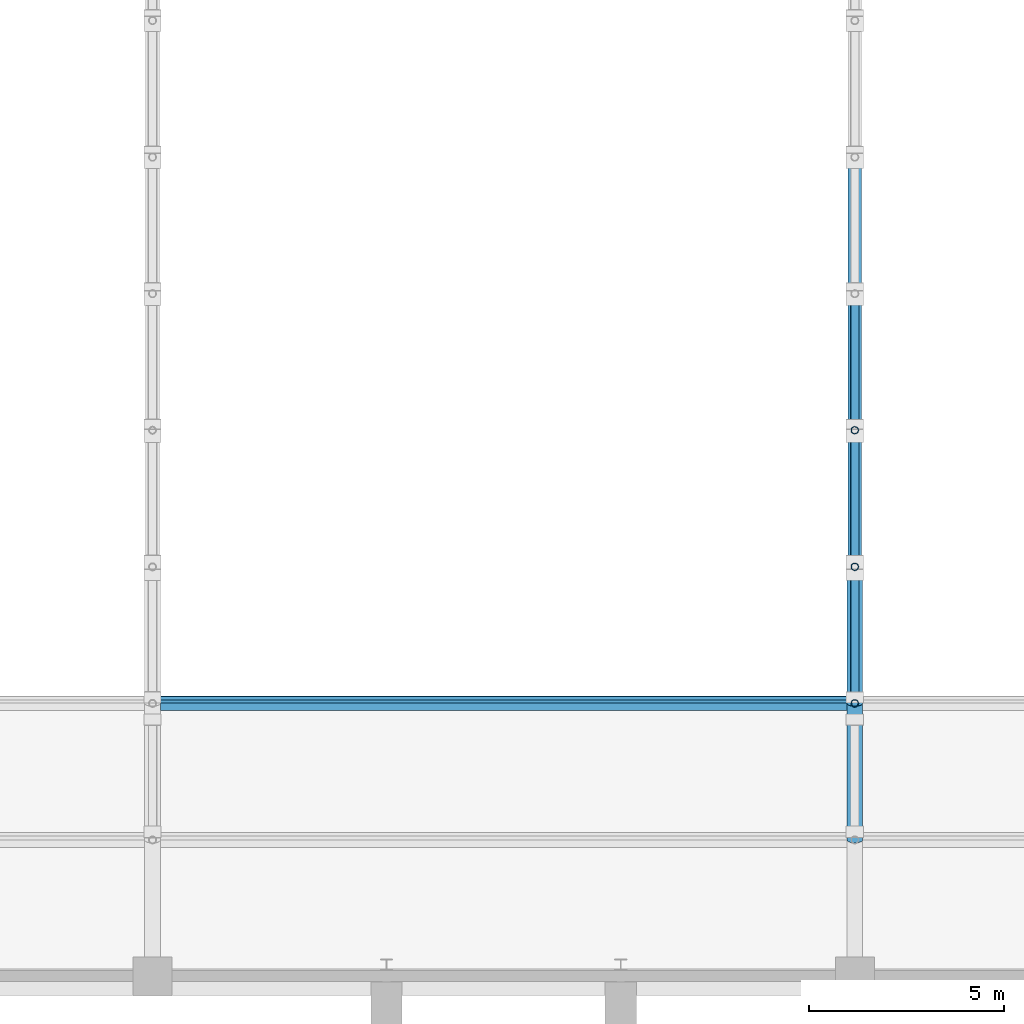
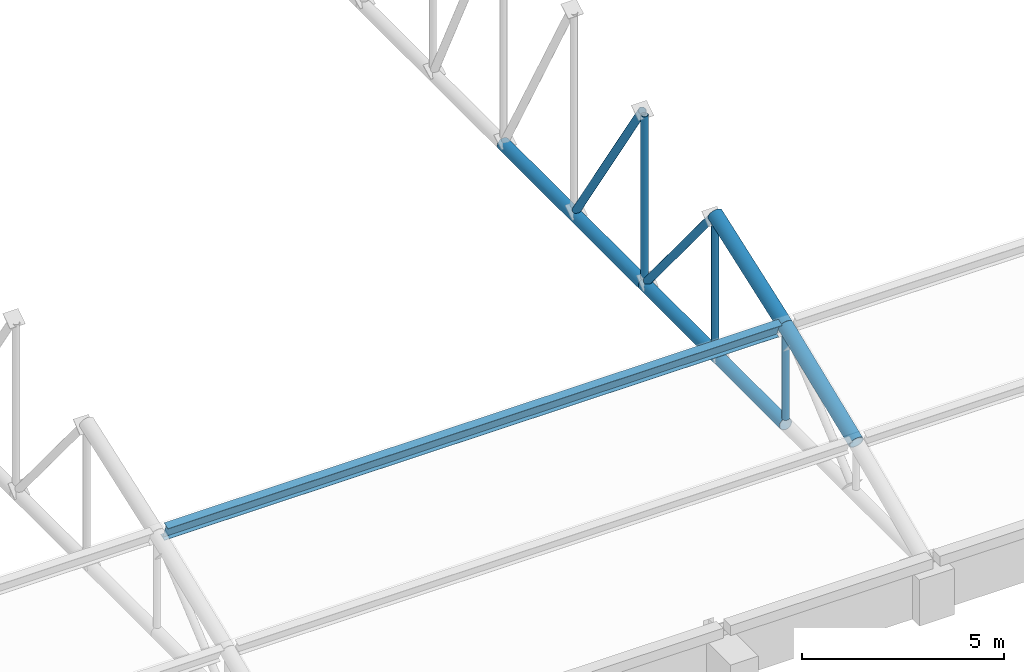
# One storey, part 35 of 196: 11 members.
"""IFC4 building model written with IfcOpenShell, lengths in metres."""

from ifc_helpers import new_model, si_unit, direction, frame, origin, origin_2d, place, context, subcontext, project, spatial, hollow_circle, i_section, extrude, material, material_profile, profile_set, type_object, element, save


model = new_model("IFC4")

# Units and contexts
model_context = context("Model", 3, precision=1e-05, world=origin(), true_north=direction((0.0, 1.0)))
body_context = subcontext(model_context, "Body", "Model", "MODEL_VIEW")
ifc_project = project(units=[si_unit("LENGTHUNIT", "METRE"), si_unit("AREAUNIT", "SQUARE_METRE"), si_unit("VOLUMEUNIT", "CUBIC_METRE"), si_unit("PLANEANGLEUNIT", "RADIAN"), si_unit("MASSUNIT", "GRAM", prefix="KILO")], contexts=[model_context])

# Site, building, storey
site_placement = place(None, origin())
site = spatial("IfcSite", under=ifc_project, at=site_placement, CompositionType="ELEMENT")
building_placement = place(site_placement, origin())
building = spatial("IfcBuilding", under=site, at=building_placement, Name="Okhra Congress Centre", CompositionType="ELEMENT")
storey_placement = place(building_placement, frame((0.0, 0.0, 12.0)))
storey = spatial("IfcBuildingStorey", under=building, at=storey_placement, Name="L02", CompositionType="ELEMENT", Elevation=12.0)

# Members
ifc_material_1 = material(Name="Steel S355J2H", Category="steel")
ifc_material_profile_1 = material_profile(ifc_material_1, hollow_circle(Radius=0.096923828125, WallThickness=0.012451171875, at=origin_2d()), Name="CHS 193.7x12.5")
ifc_profile_set_1 = profile_set([ifc_material_profile_1], Name="Steel S355J2H")
member_type_1 = type_object("IfcMemberType", Name="CHS 193.7x12.5", PredefinedType="POST", material=ifc_profile_set_1)
member_1_placement = place(storey_placement, frame((82.0, 139.0, 1.577880859375), z_axis=(0.0, 0.0, 1.0), x_axis=(1.0, 0.0, 0.0)))
element("IfcMember", 1, at=member_1_placement, inside=storey, type_object=member_type_1, Name="EH.MEM.L02.T4-VER-02", PredefinedType="POST", context=body_context, shape_type="SweptSolid", body=[
    extrude(hollow_circle(Radius=0.096923828125, WallThickness=0.012451171875, at=origin_2d()), origin(), (0.0, 0.0, 1.0), 2.578857421875),
])
member_2_placement = place(storey_placement, frame((82.0, 142.5, 1.577880859375), z_axis=(0.0, 0.0, 1.0), x_axis=(1.0, 0.0, 0.0)))
element("IfcMember", 2, at=member_2_placement, inside=storey, type_object=member_type_1, Name="EH.MEM.L02.T4-VER-03", PredefinedType="POST", context=body_context, shape_type="SweptSolid", body=[
    extrude(hollow_circle(Radius=0.096923828125, WallThickness=0.012451171875, at=origin_2d()), origin(), (0.0, 0.0, 1.0), 3.836669921875),
])
member_3_placement = place(storey_placement, frame((82.0, 146.0, 1.577880859375), z_axis=(0.0, 0.0, 1.0), x_axis=(1.0, 0.0, 0.0)))
element("IfcMember", 3, at=member_3_placement, inside=storey, type_object=member_type_1, Name="EH.MEM.L02.T4-VER-04", PredefinedType="POST", context=body_context, shape_type="SweptSolid", body=[
    extrude(hollow_circle(Radius=0.096923828125, WallThickness=0.012451171875, at=origin_2d()), origin(), (0.0, 0.0, 1.0), 4.947998046875),
])
ifc_material_profile_2 = material_profile(ifc_material_1, hollow_circle(Radius=0.109619140625, WallThickness=0.012451171875, at=origin_2d()), Name="CHS 219.1x12.5")
ifc_profile_set_2 = profile_set([ifc_material_profile_2], Name="Steel S355J2H")
member_type_2 = type_object("IfcMemberType", Name="CHS 219.1x12.5", PredefinedType="BRACE", material=ifc_profile_set_2)
member_4_placement = place(storey_placement, frame((82.0, 139.1611328125, 4.237060546875), z_axis=(0.0, 0.762061047132, -0.64750518179), x_axis=(-1.0, 0.0, 0.0)))
element("IfcMember", 4, at=member_4_placement, inside=storey, type_object=member_type_2, Name="EH.MEM.L02.T4-DIA-02", PredefinedType="BRACE", context=body_context, shape_type="SweptSolid", body=[
    extrude(hollow_circle(Radius=0.109619140625, WallThickness=0.012451171875, at=origin_2d()), origin(), (0.0, 0.0, 1.0), 4.106689453125),
])
member_5_placement = place(storey_placement, frame((82.0, 142.626220703125, 5.476318359375), z_axis=(0.0, 0.637599309049, -0.770368172435), x_axis=(-1.0, 0.0, 0.0)))
element("IfcMember", 5, at=member_5_placement, inside=storey, type_object=member_type_2, Name="EH.MEM.L02.T4-DIA-03", PredefinedType="BRACE", context=body_context, shape_type="SweptSolid", body=[
    extrude(hollow_circle(Radius=0.109619140625, WallThickness=0.012451171875, at=origin_2d()), origin(), (0.0, 0.0, 1.0), 5.060546875),
])
member_6_placement = place(storey_placement, frame((82.0, 146.10595703125, 6.576416015625), z_axis=(0.0, 0.548312008951, -0.836273843211), x_axis=(-1.0, 0.0, 0.0)))
element("IfcMember", 6, at=member_6_placement, inside=storey, type_object=member_type_2, Name="EH.MEM.L02.T4-DIA-04", PredefinedType="BRACE", context=body_context, shape_type="SweptSolid", body=[
    extrude(hollow_circle(Radius=0.109619140625, WallThickness=0.012451171875, at=origin_2d()), origin(), (0.0, 0.0, 1.0), 5.97705078125),
])
ifc_material_profile_3 = material_profile(ifc_material_1, hollow_circle(Radius=0.177734375, WallThickness=0.01611328125, at=origin_2d()), Name="CHS 355.6x16.0")
ifc_profile_set_3 = profile_set([ifc_material_profile_3], Name="Steel S355J2H")
member_type_3 = type_object("IfcMemberType", Name="CHS 355.6x16.0", PredefinedType="CHORD", material=ifc_profile_set_3)
for number, where, z_axis, x_axis, name in (
    (7, (82.0, 139.0, 1.39990234375), (0.0, 1.0, 0.0), (-1.0, 0.0, 0.0), "EH.MEM.L02.T4-BOT-02"),
    (8, (82.0, 146.0, 1.39990234375), (0.0, 1.0, 0.0), (-1.0, 0.0, 0.0), "EH.MEM.L02.T4-BOT-03"),
):
    element("IfcMember", number, at=place(storey_placement, frame(where, z_axis=z_axis, x_axis=x_axis)), inside=storey, type_object=member_type_3, Name=name, PredefinedType="CHORD", context=body_context, shape_type="SweptSolid", body=[
        extrude(hollow_circle(Radius=0.177734375, WallThickness=0.01611328125, at=origin_2d()), origin(), (0.0, 0.0, 1.0), 7.0),
    ])
ifc_material_profile_4 = material_profile(ifc_material_1, hollow_circle(Radius=0.203125, WallThickness=0.02490234375, at=origin_2d()), Name="CHS 406.4x25.0")
ifc_profile_set_4 = profile_set([ifc_material_profile_4], Name="Steel S355J2H")
member_type_4 = type_object("IfcMemberType", Name="CHS 406.4x25.0", PredefinedType="CHORD", material=ifc_profile_set_4)
member_7_placement = place(storey_placement, frame((82.0, 135.5, 2.966796875), z_axis=(0.0, 0.927814639871, 0.373041544658), x_axis=(-1.0, 0.0, 0.0)))
element("IfcMember", 9, at=member_7_placement, inside=storey, type_object=member_type_4, Name="EH.MEM.L02.T4-TOP-02", PredefinedType="CHORD", context=body_context, shape_type="SweptSolid", body=[
    extrude(hollow_circle(Radius=0.203125, WallThickness=0.02490234375, at=origin_2d()), origin(), (0.0, 0.0, 1.0), 3.772216796875),
])
member_8_placement = place(storey_placement, frame((82.0, 139.0, 4.3740234375), z_axis=(0.0, 0.941304373418, 0.337558997192), x_axis=(-1.0, 0.0, 0.0)))
element("IfcMember", 10, at=member_8_placement, inside=storey, type_object=member_type_4, Name="EH.MEM.L02.T4-TOP-03", PredefinedType="CHORD", context=body_context, shape_type="SweptSolid", body=[
    extrude(hollow_circle(Radius=0.203125, WallThickness=0.02490234375, at=origin_2d()), origin(), (0.0, 0.0, 1.0), 3.71826171875),
])
ifc_material_2 = material(Name="Steel S355J2", Category="steel")
ifc_material_profile_5 = material_profile(ifc_material_2, i_section(OverallWidth=0.199951171875, OverallDepth=0.5, WebThickness=0.01025390625, FlangeThickness=0.01611328125, at=origin_2d()), Name="IPE 500")
ifc_profile_set_5 = profile_set([ifc_material_profile_5], Name="Steel S355J2")
member_type_5 = type_object("IfcMemberType", Name="IPE 500", PredefinedType="PURLIN", material=ifc_profile_set_5)
member_9_placement = place(storey_placement, frame((64.203125, 139.0, 4.3740234375), z_axis=(1.0, 0.0, 0.0), x_axis=(0.0, 0.934732963292, 0.355350935465)))
element("IfcMember", 11, at=member_9_placement, inside=storey, type_object=member_type_5, Name="EH.MEM.L02.PU3-03", PredefinedType="PURLIN", context=body_context, shape_type="SweptSolid", body=[
    extrude(i_section(OverallWidth=0.199951171875, OverallDepth=0.5, WebThickness=0.01025390625, FlangeThickness=0.01611328125, at=origin_2d()), origin(), (0.0, 0.0, 1.0), 17.59375),
])

save(model, "model.ifc")
